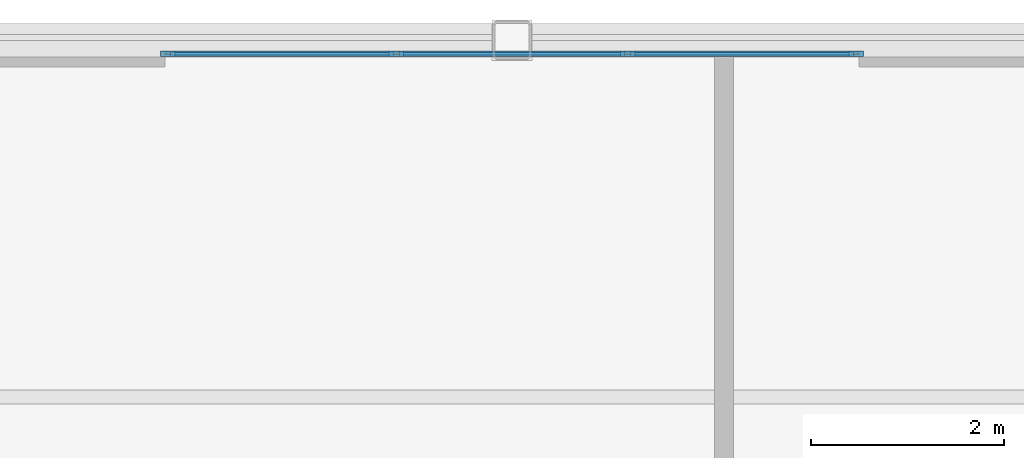
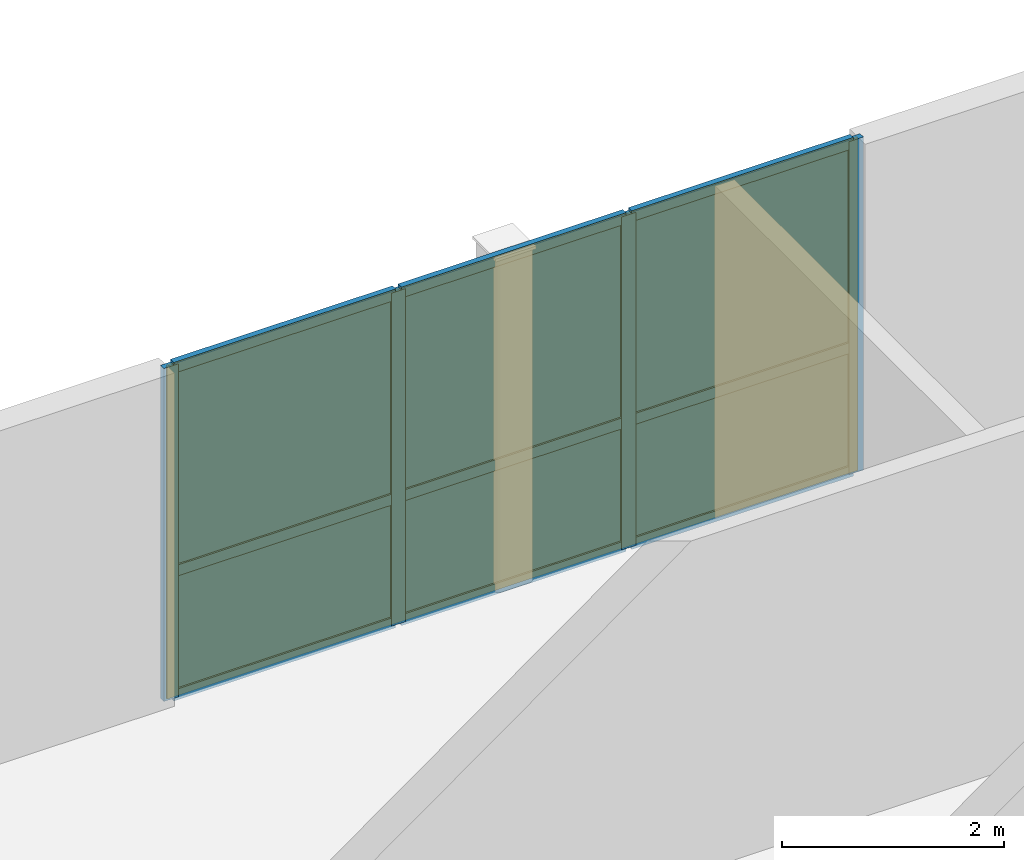
# One storey, part 6 of 7: 13 members, 6 plates, 1 curtain wall.
"""IFC4 building model written with IfcOpenShell, lengths in metres."""

from ifc_helpers import new_model, si_unit, direction, frame, frame_2d, origin, origin_2d, place, context, subcontext, project, spatial, rectangle, extrude, source, transform, mapped, material, layer, layer_set, material_profile, profile_set, type_object, type_shapes, element, aggregate, save


model = new_model("IFC4")

# Units and contexts
model_context = context("Model", 3, precision=1e-05, world=origin(), true_north=direction((0.0, 1.0)))
body_context = subcontext(model_context, "Body", "Model", "MODEL_VIEW")
ifc_project = project(units=[si_unit("LENGTHUNIT", "METRE"), si_unit("AREAUNIT", "SQUARE_METRE"), si_unit("VOLUMEUNIT", "CUBIC_METRE"), si_unit("PLANEANGLEUNIT", "RADIAN"), si_unit("MASSUNIT", "GRAM", prefix="KILO")], contexts=[model_context])

# Member
ifc_material_1 = material(Name="Anodised aluminium 6063-T6", Category="aluminium")
ifc_material_profile_1 = material_profile(ifc_material_1, rectangle(XDim=0.06005859375, YDim=0.14990234375, at=origin_2d()), Name="ALU-MULL-60x150")
ifc_profile_set_1 = profile_set([ifc_material_profile_1], Name="Anodised aluminium 6063-T6")
member_type_1 = type_object("IfcMemberType", Name="CWM-6", PredefinedType="MULLION", material=ifc_profile_set_1)
site_placement = place(None, origin())
building_placement = place(site_placement, origin())
storey_placement = place(building_placement, frame((0.0, 0.0, 307.14990234375)))
member_1_placement = place(storey_placement, frame((-3.570068359375, 16.860107421875, 0.0), z_axis=(0.0, 0.0, 1.0), x_axis=(0.0, 1.0, 0.0)))
member_1 = element("IfcMember", 1, at=member_1_placement, type_object=member_type_1, Name="CWS-6 mullion 1", PredefinedType="MULLION", context=body_context, shape_type="SweptSolid", body=[
    extrude(rectangle(XDim=0.06005859375, YDim=0.14990234375, at=origin_2d()), origin(), (0.0, 0.0, 1.0), 3.670166015625),
])

member_2_placement = place(storey_placement, frame((-1.199951171875, 16.860107421875, 0.0), z_axis=(0.0, 0.0, 1.0), x_axis=(0.0, 1.0, 0.0)))
member_2 = element("IfcMember", 2, at=member_2_placement, type_object=member_type_1, Name="CWS-6 mullion 2", PredefinedType="MULLION", context=body_context, shape_type="SweptSolid", body=[
    extrude(rectangle(XDim=0.06005859375, YDim=0.14990234375, at=origin_2d()), origin(), (0.0, 0.0, 1.0), 3.670166015625),
])

member_3_placement = place(storey_placement, frame((1.199951171875, 16.860107421875, 0.0), z_axis=(0.0, 0.0, 1.0), x_axis=(0.0, 1.0, 0.0)))
member_3 = element("IfcMember", 3, at=member_3_placement, type_object=member_type_1, Name="CWS-6 mullion 3", PredefinedType="MULLION", context=body_context, shape_type="SweptSolid", body=[
    extrude(rectangle(XDim=0.06005859375, YDim=0.14990234375, at=origin_2d()), origin(), (0.0, 0.0, 1.0), 3.670166015625),
])

member_4_placement = place(storey_placement, frame((3.570068359375, 16.860107421875, 0.0), z_axis=(0.0, 0.0, 1.0), x_axis=(0.0, 1.0, 0.0)))
member_4 = element("IfcMember", 4, at=member_4_placement, type_object=member_type_1, Name="CWS-6 mullion 4", PredefinedType="MULLION", context=body_context, shape_type="SweptSolid", body=[
    extrude(rectangle(XDim=0.06005859375, YDim=0.14990234375, at=origin_2d()), origin(), (0.0, 0.0, 1.0), 3.670166015625),
])

ifc_material_profile_2 = material_profile(ifc_material_1, rectangle(XDim=0.06005859375, YDim=0.1201171875, at=origin_2d()), Name="ALU-TRAN-60x120")
ifc_profile_set_2 = profile_set([ifc_material_profile_2], Name="Anodised aluminium 6063-T6")
member_type_2 = type_object("IfcMemberType", Name="CWT-6", PredefinedType="USERDEFINED", material=ifc_profile_set_2)
member_5_placement = place(storey_placement, frame((-3.5400390625, 16.860107421875, 0.030029296875), z_axis=(1.0, 0.0, 0.0), x_axis=(0.0, 1.0, 0.0)))
member_5 = element("IfcMember", 5, at=member_5_placement, type_object=member_type_2, Name="CWS-6 transom 1.1", ObjectType="TRANSOM", PredefinedType="USERDEFINED", context=body_context, shape_type="SweptSolid", body=[
    extrude(rectangle(XDim=0.06005859375, YDim=0.1201171875, at=origin_2d()), origin(), (0.0, 0.0, 1.0), 2.31005859375),
])

member_6_placement = place(storey_placement, frame((-3.5400390625, 16.860107421875, 1.394775390625), z_axis=(1.0, 0.0, 0.0), x_axis=(0.0, 1.0, 0.0)))
member_6 = element("IfcMember", 6, at=member_6_placement, type_object=member_type_2, Name="CWS-6 transom 1.2", ObjectType="TRANSOM", PredefinedType="USERDEFINED", context=body_context, shape_type="SweptSolid", body=[
    extrude(rectangle(XDim=0.06005859375, YDim=0.1201171875, at=origin_2d()), origin(), (0.0, 0.0, 1.0), 2.31005859375),
])

member_7_placement = place(storey_placement, frame((-3.5400390625, 16.860107421875, 3.64013671875), z_axis=(1.0, 0.0, 0.0), x_axis=(0.0, 1.0, 0.0)))
member_7 = element("IfcMember", 7, at=member_7_placement, type_object=member_type_2, Name="CWS-6 transom 1.3", ObjectType="TRANSOM", PredefinedType="USERDEFINED", context=body_context, shape_type="SweptSolid", body=[
    extrude(rectangle(XDim=0.06005859375, YDim=0.1201171875, at=origin_2d()), origin(), (0.0, 0.0, 1.0), 2.31005859375),
])

member_8_placement = place(storey_placement, frame((-1.169921875, 16.860107421875, 0.030029296875), z_axis=(1.0, 0.0, 0.0), x_axis=(0.0, 1.0, 0.0)))
member_8 = element("IfcMember", 8, at=member_8_placement, type_object=member_type_2, Name="CWS-6 transom 2.1", ObjectType="TRANSOM", PredefinedType="USERDEFINED", context=body_context, shape_type="SweptSolid", body=[
    extrude(rectangle(XDim=0.06005859375, YDim=0.1201171875, at=origin_2d()), origin(), (0.0, 0.0, 1.0), 2.33984375),
])

member_9_placement = place(storey_placement, frame((-1.169921875, 16.860107421875, 1.394775390625), z_axis=(1.0, 0.0, 0.0), x_axis=(0.0, 1.0, 0.0)))
member_9 = element("IfcMember", 9, at=member_9_placement, type_object=member_type_2, Name="CWS-6 transom 2.2", ObjectType="TRANSOM", PredefinedType="USERDEFINED", context=body_context, shape_type="SweptSolid", body=[
    extrude(rectangle(XDim=0.06005859375, YDim=0.1201171875, at=origin_2d()), origin(), (0.0, 0.0, 1.0), 2.33984375),
])

member_10_placement = place(storey_placement, frame((-1.169921875, 16.860107421875, 3.64013671875), z_axis=(1.0, 0.0, 0.0), x_axis=(0.0, 1.0, 0.0)))
member_10 = element("IfcMember", 10, at=member_10_placement, type_object=member_type_2, Name="CWS-6 transom 2.3", ObjectType="TRANSOM", PredefinedType="USERDEFINED", context=body_context, shape_type="SweptSolid", body=[
    extrude(rectangle(XDim=0.06005859375, YDim=0.1201171875, at=origin_2d()), origin(), (0.0, 0.0, 1.0), 2.33984375),
])

member_11_placement = place(storey_placement, frame((1.22998046875, 16.860107421875, 0.030029296875), z_axis=(1.0, 0.0, 0.0), x_axis=(0.0, 1.0, 0.0)))
member_11 = element("IfcMember", 11, at=member_11_placement, type_object=member_type_2, Name="CWS-6 transom 3.1", ObjectType="TRANSOM", PredefinedType="USERDEFINED", context=body_context, shape_type="SweptSolid", body=[
    extrude(rectangle(XDim=0.06005859375, YDim=0.1201171875, at=origin_2d()), origin(), (0.0, 0.0, 1.0), 2.31005859375),
])

member_12_placement = place(storey_placement, frame((1.22998046875, 16.860107421875, 1.394775390625), z_axis=(1.0, 0.0, 0.0), x_axis=(0.0, 1.0, 0.0)))
member_12 = element("IfcMember", 12, at=member_12_placement, type_object=member_type_2, Name="CWS-6 transom 3.2", ObjectType="TRANSOM", PredefinedType="USERDEFINED", context=body_context, shape_type="SweptSolid", body=[
    extrude(rectangle(XDim=0.06005859375, YDim=0.1201171875, at=origin_2d()), origin(), (0.0, 0.0, 1.0), 2.31005859375),
])

member_13_placement = place(storey_placement, frame((1.22998046875, 16.860107421875, 3.64013671875), z_axis=(1.0, 0.0, 0.0), x_axis=(0.0, 1.0, 0.0)))
member_13 = element("IfcMember", 13, at=member_13_placement, type_object=member_type_2, Name="CWS-6 transom 3.3", ObjectType="TRANSOM", PredefinedType="USERDEFINED", context=body_context, shape_type="SweptSolid", body=[
    extrude(rectangle(XDim=0.06005859375, YDim=0.1201171875, at=origin_2d()), origin(), (0.0, 0.0, 1.0), 2.31005859375),
])

# Plate
ifc_material_2 = material(Name="Insulated solar-control glass", Category="glass")
ifc_layer_1 = layer(ifc_material_2, 0.02392578125, Name="CWP-6")
ifc_layer_set_1 = layer_set([ifc_layer_1], Name="Insulated solar-control glass")
plate_type = type_object("IfcPlateType", Name="CWP-6", PredefinedType="CURTAIN_PANEL", material=ifc_layer_set_1)
shared_shape_1 = source(origin(), body_context, "Body", "SweptSolid", [
    extrude(rectangle(XDim=2.31005859375, YDim=0.02392578125, at=origin_2d()), origin(), (0.0, 0.0, 1.0), 1.3046875),
])
plate_1_placement = place(storey_placement, frame((-2.385009765625, 16.860107421875, 0.06005859375), z_axis=(0.0, 0.0, 1.0), x_axis=(1.0, 0.0, 0.0)))
plate_1 = element("IfcPlate", 14, at=plate_1_placement, type_object=plate_type, Name="CWS-6 panel 1.1", PredefinedType="CURTAIN_PANEL", context=body_context, shape_type="MappedRepresentation", body=[
    mapped(shared_shape_1, transform((0.0, 0.0, 0.0), scale=1.0)),
])

plate_2_placement = place(storey_placement, frame((2.385009765625, 16.860107421875, 0.06005859375), z_axis=(0.0, 0.0, 1.0), x_axis=(1.0, 0.0, 0.0)))
plate_2 = element("IfcPlate", 15, at=plate_2_placement, type_object=plate_type, Name="CWS-6 panel 3.1", PredefinedType="CURTAIN_PANEL", context=body_context, shape_type="MappedRepresentation", body=[
    mapped(shared_shape_1, transform((0.0, 0.0, 0.0), scale=1.0)),
])

shared_shape_2 = source(origin(), body_context, "Body", "SweptSolid", [
    extrude(rectangle(XDim=2.31005859375, YDim=0.02392578125, at=origin_2d()), origin(), (0.0, 0.0, 1.0), 2.185302734375),
])
plate_3_placement = place(storey_placement, frame((-2.385009765625, 16.860107421875, 1.4248046875), z_axis=(0.0, 0.0, 1.0), x_axis=(1.0, 0.0, 0.0)))
plate_3 = element("IfcPlate", 16, at=plate_3_placement, type_object=plate_type, Name="CWS-6 panel 1.2", PredefinedType="CURTAIN_PANEL", context=body_context, shape_type="MappedRepresentation", body=[
    mapped(shared_shape_2, transform((0.0, 0.0, 0.0), scale=1.0)),
])

plate_4_placement = place(storey_placement, frame((2.385009765625, 16.860107421875, 1.4248046875), z_axis=(0.0, 0.0, 1.0), x_axis=(1.0, 0.0, 0.0)))
plate_4 = element("IfcPlate", 17, at=plate_4_placement, type_object=plate_type, Name="CWS-6 panel 3.2", PredefinedType="CURTAIN_PANEL", context=body_context, shape_type="MappedRepresentation", body=[
    mapped(shared_shape_2, transform((0.0, 0.0, 0.0), scale=1.0)),
])

shared_shape_3 = source(origin(), body_context, "Body", "SweptSolid", [
    extrude(rectangle(XDim=2.340087890625, YDim=0.02392578125, at=origin_2d()), origin(), (0.0, 0.0, 1.0), 1.3046875),
])
plate_5_placement = place(storey_placement, frame((0.0, 16.860107421875, 0.06005859375), z_axis=(0.0, 0.0, 1.0), x_axis=(1.0, 0.0, 0.0)))
plate_5 = element("IfcPlate", 18, at=plate_5_placement, type_object=plate_type, Name="CWS-6 panel 2.1", PredefinedType="CURTAIN_PANEL", context=body_context, shape_type="MappedRepresentation", body=[
    mapped(shared_shape_3, transform((0.0, 0.0, 0.0), scale=1.0)),
])

shared_shape_4 = source(origin(), body_context, "Body", "SweptSolid", [
    extrude(rectangle(XDim=2.340087890625, YDim=0.02392578125, at=origin_2d()), origin(), (0.0, 0.0, 1.0), 2.185302734375),
])
type_shapes(plate_type, [shared_shape_1, shared_shape_2, shared_shape_3, shared_shape_4])
plate_6_placement = place(storey_placement, frame((0.0, 16.860107421875, 1.4248046875), z_axis=(0.0, 0.0, 1.0), x_axis=(1.0, 0.0, 0.0)))
plate_6 = element("IfcPlate", 19, at=plate_6_placement, type_object=plate_type, Name="CWS-6 panel 2.2", PredefinedType="CURTAIN_PANEL", context=body_context, shape_type="MappedRepresentation", body=[
    mapped(shared_shape_4, transform((0.0, 0.0, 0.0), scale=1.0)),
])

# Site, building, storey
site = spatial("IfcSite", under=ifc_project, at=site_placement, CompositionType="ELEMENT")
building = spatial("IfcBuilding", under=site, at=building_placement, Name="Nuvemarco Arch Tower", CompositionType="ELEMENT")
storey = spatial("IfcBuildingStorey", under=building, at=storey_placement, Name="L81", CompositionType="ELEMENT", Elevation=307.14990234375)

# Curtain wall
ifc_layer_2 = layer(ifc_material_2, 0.14990234375, Name="CW-SYS-6")
ifc_layer_set_2 = layer_set([ifc_layer_2], Name="Insulated solar-control glass")
curtain_wall_type = type_object("IfcCurtainWallType", Name="CW-SYS-6", PredefinedType="NOTDEFINED", material=ifc_layer_set_2)
curtain_wall_placement = place(storey_placement, frame((-3.60009765625, 16.860107421875, 0.0), z_axis=(0.0, 0.0, 1.0), x_axis=(1.0, 0.0, 0.0)))
curtain_wall = element("IfcCurtainWall", 20, at=curtain_wall_placement, inside=storey, type_object=curtain_wall_type, Name="L81 curtain wall CWS-6", PredefinedType="NOTDEFINED", context=body_context, shape_type="SweptSolid", body=[
    extrude(rectangle(XDim=7.2001953125, YDim=0.02001953125, at=frame_2d((3.60009765625, 0.0))), origin(), (0.0, 0.0, 1.0), 3.670166015625),
])

aggregate(curtain_wall, [member_1, member_2, member_3, member_4, member_5, member_6, member_7, plate_1, plate_3, member_8, member_9, member_10, plate_5, plate_6, member_11, member_12, member_13, plate_2, plate_4])

save(model, "model.ifc")
